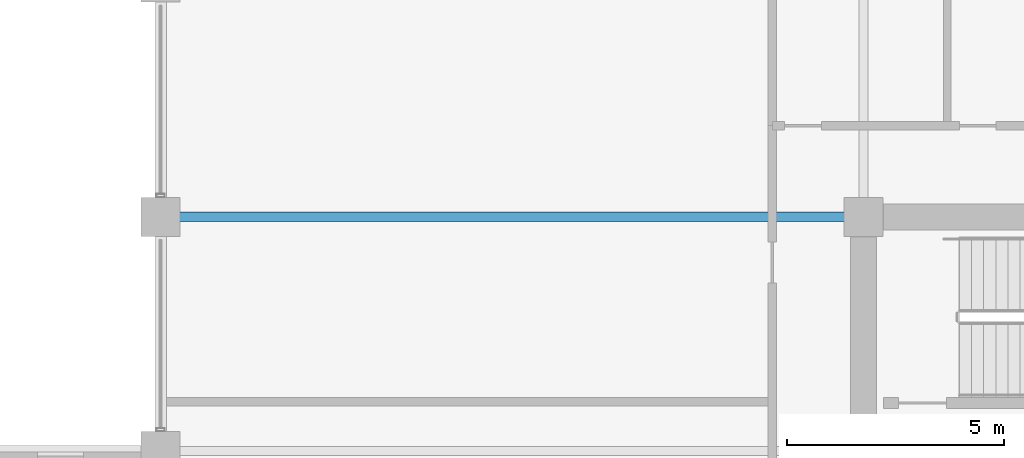
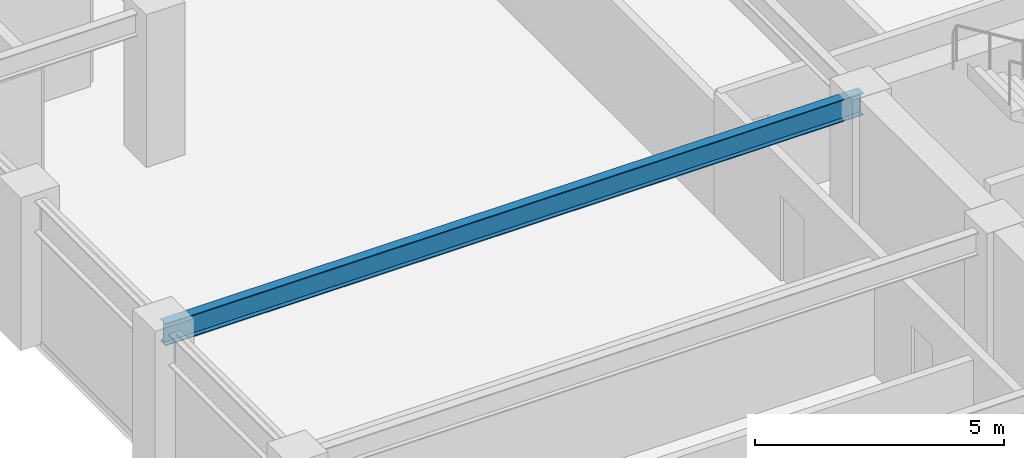
# One storey, part 14 of 28: 1 beam.
"""IFC4 building model written with IfcOpenShell, lengths in metres."""

from ifc_helpers import new_model, si_unit, direction, frame, origin, origin_2d, place, context, subcontext, project, spatial, i_section, extrude, material, material_profile, profile_set, type_object, element, save


model = new_model("IFC4")

# Units and contexts
model_context = context("Model", 3, precision=1e-05, world=origin(), true_north=direction((0.0, 1.0)))
body_context = subcontext(model_context, "Body", "Model", "MODEL_VIEW")
ifc_project = project(units=[si_unit("LENGTHUNIT", "METRE"), si_unit("AREAUNIT", "SQUARE_METRE"), si_unit("VOLUMEUNIT", "CUBIC_METRE"), si_unit("PLANEANGLEUNIT", "RADIAN"), si_unit("MASSUNIT", "GRAM", prefix="KILO")], contexts=[model_context])

# Site, building, storey
site_placement = place(None, origin())
site = spatial("IfcSite", under=ifc_project, at=site_placement, CompositionType="ELEMENT")
building_placement = place(site_placement, origin())
building = spatial("IfcBuilding", under=site, at=building_placement, Name="Surkhivell Harbour Commons", CompositionType="ELEMENT")
storey_placement = place(building_placement, frame((0.0, 0.0, 178.5)))
storey = spatial("IfcBuildingStorey", under=building, at=storey_placement, Name="L46", CompositionType="ELEMENT", Elevation=178.5)

# Beam
ifc_material = material(Name="Steel S355", Category="steel")
ifc_material_profile = material_profile(ifc_material, i_section(OverallWidth=0.2119140625, OverallDepth=0.5439453125, WebThickness=0.0126953125, FlangeThickness=0.021240234375, at=origin_2d()), Name="UB533x210x122")
ifc_profile_set = profile_set([ifc_material_profile], Name="Steel S355")
beam_type = type_object("IfcBeamType", Name="BM-GRD-533A", PredefinedType="BEAM", material=ifc_profile_set)
beam_placement = place(storey_placement, frame((-27.0, 10.800048828125, 3.298095703125), z_axis=(1.0, 0.0, 0.0), x_axis=(0.0, 1.0, 0.0)))
element("IfcBeam", 1, at=beam_placement, inside=storey, type_object=beam_type, Name="L46 Floor Girder (-27.0,10.8)", PredefinedType="BEAM", context=body_context, shape_type="SweptSolid", body=[
    extrude(i_section(OverallWidth=0.2119140625, OverallDepth=0.5439453125, WebThickness=0.0126953125, FlangeThickness=0.021240234375, at=origin_2d()), origin(), (0.0, 0.0, 1.0), 16.199951171875),
])

save(model, "model.ifc")
